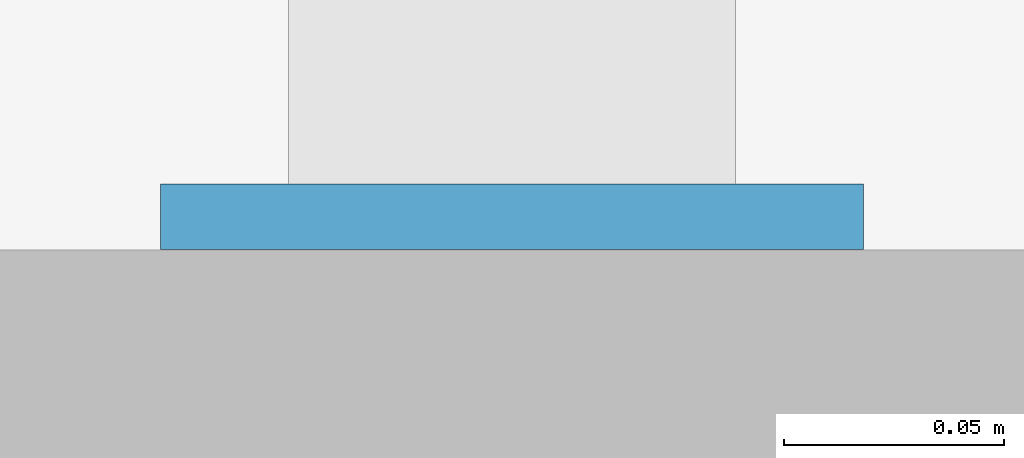
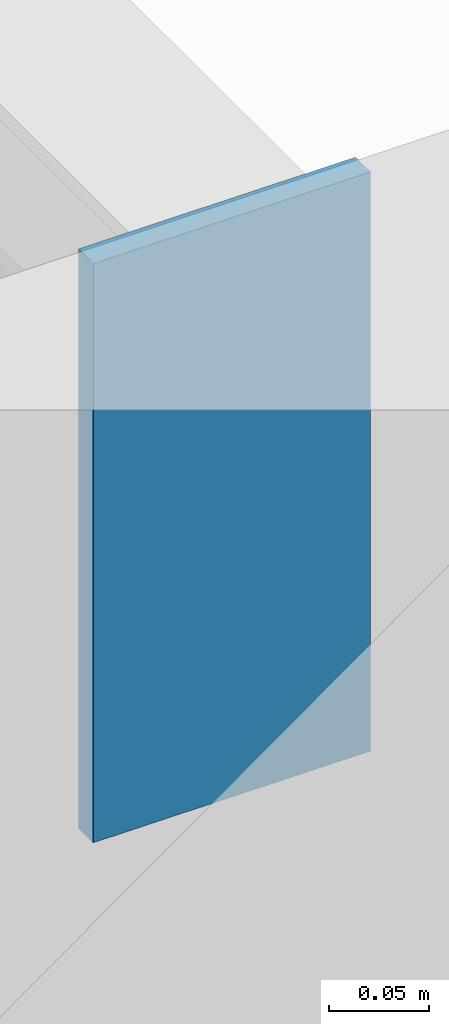
# One storey, part 86 of 122: 1 discrete accessory.
"""IFC4 building model written with IfcOpenShell, lengths in metres."""

import ifcopenshell
import ifcopenshell.guid

model = None  # the IFC model being written
_history = None  # IfcOwnerHistory: only IFC2X3 demands one
_inside = {}  # id of a spatial element -> (the spatial element, [elements in it])
_under = {}  # id of a project, library or spatial element -> (it, [spatial elements below it])
_declared = {}  # id of a project -> (the project, [libraries it declares])
_typed = {}  # id of a type object -> (the type object, [elements of that type])
_made_of = {}  # id of a material, layer set ... -> (it, [elements and type objects made of it])


def new_model(schema):
    """Start an empty IFC model of exactly this schema.

    Asked for "IFC4X3", IfcOpenShell would pick the latest addendum, in which some entities
    have other attributes; the version numbers below select the first issue.
    IFC2X3 requires an IfcOwnerHistory on every rooted entity: one is made here for all.
    """
    global model, _history
    if schema == "IFC4X3":
        model = ifcopenshell.file(schema_version=(4, 3, 0, 0))
    else:
        model = ifcopenshell.file(schema=schema)
    _inside.clear()
    _under.clear()
    _declared.clear()
    _typed.clear()
    _made_of.clear()
    _history = None
    if model.schema == "IFC2X3":
        org = make("IfcOrganization", Name="unknown")
        user = make(
            "IfcPersonAndOrganization",
            ThePerson=make("IfcPerson", FamilyName="unknown"),
            TheOrganization=org,
        )
        app = make(
            "IfcApplication",
            ApplicationDeveloper=org,
            Version="unknown",
            ApplicationFullName="unknown",
            ApplicationIdentifier="unknown",
        )
        _history = make(
            "IfcOwnerHistory",
            OwningUser=user,
            OwningApplication=app,
            ChangeAction="ADDED",
            CreationDate=0,
        )
    return model


def make(cls, **values):
    """One entity of the class cls with the attributes given. An attribute that is None is left unset."""
    return model.create_entity(
        cls, **{name: value for name, value in values.items() if value is not None}
    )


def rooted(cls, **values):
    """An entity with a GlobalId (a new one), such as an element, a storey or a relation."""
    return make(cls, GlobalId=ifcopenshell.guid.new(), OwnerHistory=_history, **values)


def si_unit(unit_type, name, prefix=None):
    """IfcSIUnit, for example si_unit("LENGTHUNIT", "METRE", prefix="MILLI")."""
    return make("IfcSIUnit", UnitType=unit_type, Prefix=prefix, Name=name)


def assignment(units):
    """IfcUnitAssignment: the units of a project."""
    return None if units is None else make("IfcUnitAssignment", Units=units)


def point(xyz):
    """IfcCartesianPoint."""
    return None if xyz is None else make("IfcCartesianPoint", Coordinates=xyz)


def direction(xyz):
    """IfcDirection."""
    return None if xyz is None else make("IfcDirection", DirectionRatios=xyz)


def frame(location, z_axis=None, x_axis=None):
    """IfcAxis2Placement3D, a coordinate frame: its origin and axes. An axis left out is left unset."""
    return make(
        "IfcAxis2Placement3D",
        Location=point(location),
        Axis=direction(z_axis),
        RefDirection=direction(x_axis),
    )


def frame_2d(location, x_axis=None):
    """IfcAxis2Placement2D, a coordinate frame in the plane: its origin and x axis."""
    return make(
        "IfcAxis2Placement2D", Location=point(location), RefDirection=direction(x_axis)
    )


def origin():
    """The frame at (0, 0, 0) with its axes left unset."""
    return frame((0.0, 0.0, 0.0))


def origin_2d():
    """The frame at (0, 0) in the plane with its x axis left unset."""
    return frame_2d((0.0, 0.0))


def place(relative_to, where):
    """IfcLocalPlacement: puts the frame where relative to a parent placement (None: the world)."""
    return make(
        "IfcLocalPlacement", PlacementRelTo=relative_to, RelativePlacement=where
    )


def context(
    kind, dimensions, precision=None, world=None, true_north=None, identifier=None
):
    """IfcGeometricRepresentationContext, for example the 3D "Model" context."""
    return make(
        "IfcGeometricRepresentationContext",
        ContextIdentifier=identifier,
        ContextType=kind,
        CoordinateSpaceDimension=dimensions,
        Precision=precision,
        WorldCoordinateSystem=world,
        TrueNorth=true_north,
    )


def subcontext(parent, identifier, kind, view, scale=None):
    """IfcGeometricRepresentationSubContext, for example "Body" below "Model"."""
    return make(
        "IfcGeometricRepresentationSubContext",
        ContextIdentifier=identifier,
        ContextType=kind,
        ParentContext=parent,
        TargetScale=scale,
        TargetView=view,
    )


def project(units=None, contexts=None):
    """IfcProject with its units and contexts."""
    return rooted(
        "IfcProject",
        Name="project",
        RepresentationContexts=contexts,
        UnitsInContext=assignment(units),
    )


def spatial(cls, under=None, at=None, **own):
    """A site, building, storey or space (cls), placed at a placement, below another one or the project."""
    s = rooted(cls, ObjectPlacement=at, **own)
    if under is not None:
        _under.setdefault(under.id(), (under, []))[1].append(s)
    return s


def profile(cls, at=None, kind="AREA", **sizes):
    """A parametric profile (cls). Its sizes go by their IFC names, for example OverallWidth=200.0."""
    return make(cls, ProfileType=kind, Position=at, **sizes)


def rectangle(**sizes):
    """IfcRectangleProfileDef."""
    return profile("IfcRectangleProfileDef", **sizes)


def extrude(swept, where, along, depth):
    """IfcExtrudedAreaSolid: the profile swept, set in the frame where, extruded along a direction by depth."""
    return make(
        "IfcExtrudedAreaSolid",
        SweptArea=swept,
        Position=where,
        ExtrudedDirection=direction(along),
        Depth=depth,
    )


def shape(context_of_items, identifier, shape_type, items):
    """IfcShapeRepresentation: the items that make up one representation, for example the "Body"."""
    return make(
        "IfcShapeRepresentation",
        ContextOfItems=context_of_items,
        RepresentationIdentifier=identifier,
        RepresentationType=shape_type,
        Items=items,
    )


def material(Name=None, Category=None):
    """IfcMaterial."""
    return make("IfcMaterial", Name=Name, Category=Category)


def layer(
    of_material, thickness, ventilated=None, Name=None, Category=None, Priority=None
):
    """IfcMaterialLayer: one layer of a wall or slab, of a material (None: an air gap)."""
    return make(
        "IfcMaterialLayer",
        Material=of_material,
        LayerThickness=thickness,
        IsVentilated=ventilated,
        Name=Name,
        Category=Category,
        Priority=Priority,
    )


def layer_set(layers, Name=None):
    """IfcMaterialLayerSet."""
    return make("IfcMaterialLayerSet", MaterialLayers=layers, LayerSetName=Name)


def made_of(thing, what):
    """Note that an element or type object is made of a material, layer set ...; save() writes the relation."""
    if what is not None:
        _made_of.setdefault(what.id(), (what, []))[1].append(thing)
    return thing


def type_object(cls, material=None, **own):
    """A type object (cls), such as IfcWallType, which elements share."""
    return made_of(rooted(cls, **own), material)


def element(
    cls,
    number,
    at=None,
    inside=None,
    cuts=None,
    type_object=None,
    material=None,
    context=None,
    identifier="Body",
    shape_type=None,
    held_by="IfcProductDefinitionShape",
    body=None,
    shapes=None,
    **own,
):
    """One element of the class cls, such as IfcWall. Its Tag is "e" and its number.

    at: its placement. inside: the storey or other place that contains it. cuts: it is an
    opening in that element (IfcRelVoidsElement). A single representation is given by context,
    identifier, shape_type and body (its items); several are given by shapes. held_by: the class
    of the entity that holds the representations. save() writes the other relations.
    """
    e = rooted(cls, Tag="e%d" % number, ObjectPlacement=at, **own)
    if body is not None:
        shapes = [shape(context, identifier, shape_type, body)]
    if shapes is not None:
        e.Representation = make(held_by, Representations=shapes)
    if inside is not None:
        _inside.setdefault(inside.id(), (inside, []))[1].append(e)
    if cuts is not None:
        rooted(
            "IfcRelVoidsElement", RelatingBuildingElement=cuts, RelatedOpeningElement=e
        )
    if type_object is not None:
        _typed.setdefault(type_object.id(), (type_object, []))[1].append(e)
    return made_of(e, material)


def aggregate(whole, parts):
    """IfcRelAggregates: a whole, such as a stair, and the parts it consists of."""
    return rooted("IfcRelAggregates", RelatingObject=whole, RelatedObjects=parts)


def save(model, path):
    """Write the relations noted so far, then the file.

    IfcRelAggregates (storeys below a building ...), IfcRelContainedInSpatialStructure (elements
    in a storey), IfcRelDefinesByType, IfcRelAssociatesMaterial and IfcRelDeclares: one each for
    every whole, place, type object, material and project.
    """
    for whole, parts in _under.values():
        aggregate(whole, parts)
    for where, things in _inside.values():
        rooted(
            "IfcRelContainedInSpatialStructure",
            RelatedElements=things,
            RelatingStructure=where,
        )
    for kind, things in _typed.values():
        rooted("IfcRelDefinesByType", RelatedObjects=things, RelatingType=kind)
    for what, things in _made_of.values():
        rooted("IfcRelAssociatesMaterial", RelatedObjects=things, RelatingMaterial=what)
    for by, libraries in _declared.values():
        rooted("IfcRelDeclares", RelatingContext=by, RelatedDefinitions=libraries)
    model.write(path)


model = new_model("IFC4")

# Units and contexts
model_context = context("Model", 3, precision=1e-05, world=origin(), true_north=direction((0.0, 1.0)))
body_context = subcontext(model_context, "Body", "Model", "MODEL_VIEW")
ifc_project = project(units=[si_unit("LENGTHUNIT", "METRE"), si_unit("AREAUNIT", "SQUARE_METRE"), si_unit("VOLUMEUNIT", "CUBIC_METRE"), si_unit("PLANEANGLEUNIT", "RADIAN"), si_unit("MASSUNIT", "GRAM", prefix="KILO")], contexts=[model_context])

# Site, building, storey
site_placement = place(None, origin())
site = spatial("IfcSite", under=ifc_project, at=site_placement, CompositionType="ELEMENT")
building_placement = place(site_placement, origin())
building = spatial("IfcBuilding", under=site, at=building_placement, Name="Ridgestep Commons", CompositionType="ELEMENT")
storey_placement = place(building_placement, frame((0.0, 0.0, 3.0)))
storey = spatial("IfcBuildingStorey", under=building, at=storey_placement, Name="L01", CompositionType="ELEMENT", Elevation=3.0)

# Discrete accessory
ifc_material = material(Name="Weathering steel S355J2W", Category="steel")
ifc_layer = layer(ifc_material, 0.014892578125)
ifc_layer_set = layer_set([ifc_layer], Name="Tray bracket plate 15")
discrete_accessory_type = type_object("IfcDiscreteAccessoryType", Name="Tray bracket plate 15", PredefinedType="BRACKET", material=ifc_layer_set)
discrete_accessory_placement = place(storey_placement, frame((29.64990234375, 23.007568359375, 2.63671875), z_axis=(0.0, 0.0, 1.0), x_axis=(1.0, 0.0, 0.0)))
element("IfcDiscreteAccessory", 1, at=discrete_accessory_placement, inside=storey, type_object=discrete_accessory_type, Name="Tray bracket A2T1-02.1", PredefinedType="BRACKET", context=body_context, shape_type="SweptSolid", body=[
    extrude(rectangle(XDim=0.159912109375, YDim=0.014892578125, at=origin_2d()), origin(), (0.0, 0.0, 1.0), 0.353271484375),
])

save(model, "model.ifc")
